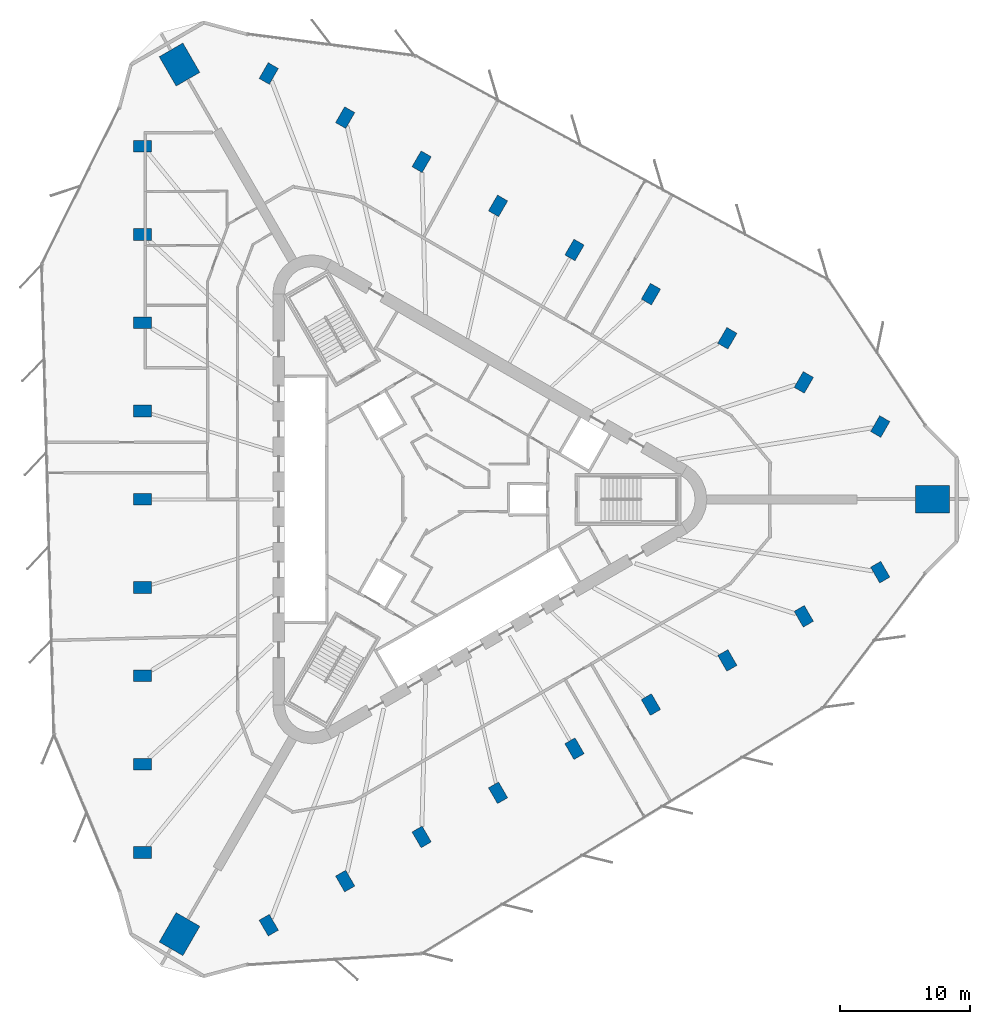
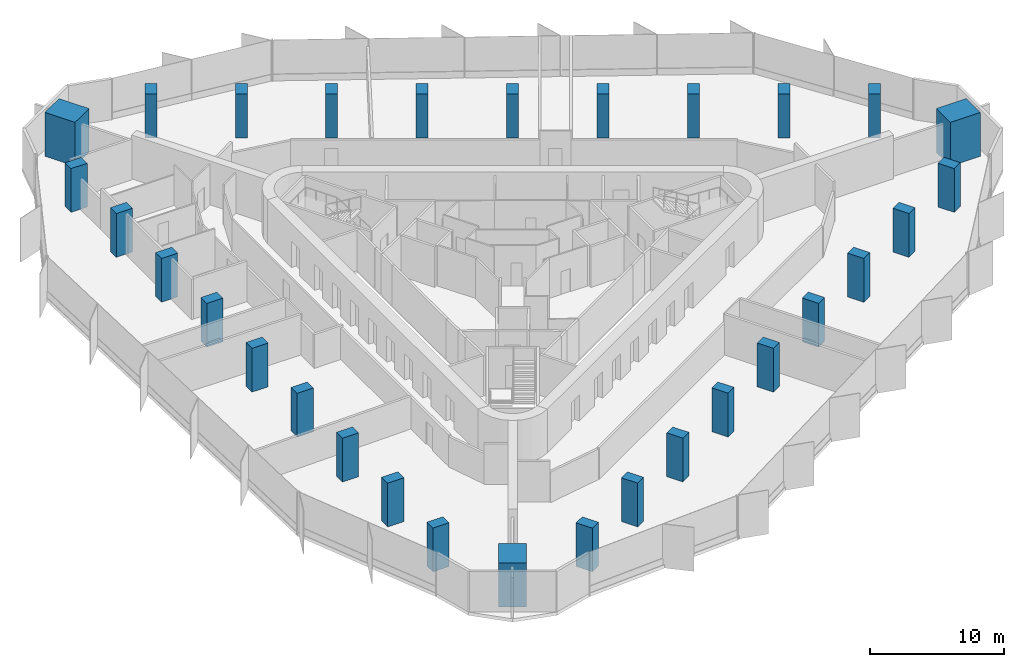
# One storey, part 1 of 14: 30 columns.
"""IFC4 building model written with IfcOpenShell, lengths in metres."""

from ifc_helpers import new_model, si_unit, direction, frame, origin, origin_2d, place, context, subcontext, project, spatial, rectangle, extrude, material, material_profile, profile_set, type_object, element, save


model = new_model("IFC4")

# Units and contexts
model_context = context("Model", 3, precision=1e-05, world=origin(), true_north=direction((0.0, 1.0)))
body_context = subcontext(model_context, "Body", "Model", "MODEL_VIEW")
ifc_project = project(units=[si_unit("LENGTHUNIT", "METRE"), si_unit("AREAUNIT", "SQUARE_METRE"), si_unit("VOLUMEUNIT", "CUBIC_METRE"), si_unit("PLANEANGLEUNIT", "RADIAN"), si_unit("MASSUNIT", "GRAM", prefix="KILO")], contexts=[model_context])

# Site, building, storey
site_placement = place(None, origin())
site = spatial("IfcSite", under=ifc_project, at=site_placement, CompositionType="ELEMENT")
building_placement = place(site_placement, origin())
building = spatial("IfcBuilding", under=site, at=building_placement, Name="Tanit Gate Tower", CompositionType="ELEMENT")
storey_placement = place(building_placement, frame((0.0, 0.0, 225.199951171875)))
storey = spatial("IfcBuildingStorey", under=building, at=storey_placement, Name="L50", CompositionType="ELEMENT", Elevation=225.199951171875)

# Columns
ifc_material_1 = material(Name="Concrete C60/75", Category="concrete")
ifc_material_profile_1 = material_profile(ifc_material_1, rectangle(XDim=2.60009765625, YDim=2.10009765625, at=origin_2d()), Name="RC 2600x2100")
ifc_profile_set_1 = profile_set([ifc_material_profile_1], Name="Concrete C60/75")
column_type_1 = type_object("IfcColumnType", Name="MEGA COLUMN 2600x2100 C60/75", PredefinedType="COLUMN", material=ifc_profile_set_1)
for number, where, z_axis, x_axis, name in (
    (1, (38.515380859375, 0.0, 0.0), (0.0, 0.0, 1.0), (1.0, 0.0, 0.0), "MEGA COLUMN"),
    (2, (-19.2578125, 33.355224609375, 0.0), (0.0, 0.0, 1.0), (-0.5, 0.866025403784, 0.0), "MEGA COLUMN"),
    (3, (-19.2578125, -33.355224609375, 0.0), (0.0, 0.0, 1.0), (-0.5, -0.866025403784, 0.0), "MEGA COLUMN"),
):
    element("IfcColumn", number, at=place(storey_placement, frame(where, z_axis=z_axis, x_axis=x_axis)), inside=storey, type_object=column_type_1, Name=name, PredefinedType="COLUMN", context=body_context, shape_type="SweptSolid", body=[
        extrude(rectangle(XDim=2.60009765625, YDim=2.10009765625, at=origin_2d()), origin(), (0.0, 0.0, 1.0), 4.0),
    ])
ifc_material_2 = material(Name="Concrete C50/60", Category="concrete")
ifc_material_profile_2 = material_profile(ifc_material_2, rectangle(XDim=1.39990234375, YDim=0.89990234375, at=origin_2d()), Name="RC 1400x900")
ifc_profile_set_2 = profile_set([ifc_material_profile_2], Name="Concrete C50/60")
column_type_2 = type_object("IfcColumnType", Name="PERIMETER COLUMN 1400x900 C50/60", PredefinedType="COLUMN", material=ifc_profile_set_2)
for number, where, z_axis, x_axis, name in (
    (4, (-22.088134765625, 27.083984375, 0.0), (0.0, 0.0, 1.0), (-1.0, 0.0, 0.0), "PERIMETER COLUMN"),
    (5, (-22.088134765625, 20.31298828125, 0.0), (0.0, 0.0, 1.0), (-1.0, 0.0, 0.0), "PERIMETER COLUMN"),
    (6, (-22.088134765625, 13.5419921875, 0.0), (0.0, 0.0, 1.0), (-1.0, 0.0, 0.0), "PERIMETER COLUMN"),
    (7, (-22.088134765625, 6.77099609375, 0.0), (0.0, 0.0, 1.0), (-1.0, 0.0, 0.0), "PERIMETER COLUMN"),
    (8, (-22.088134765625, 0.0, 0.0), (0.0, 0.0, 1.0), (-1.0, 0.0, 0.0), "PERIMETER COLUMN"),
    (9, (-22.088134765625, -6.77099609375, 0.0), (0.0, 0.0, 1.0), (-1.0, 0.0, 0.0), "PERIMETER COLUMN"),
    (10, (-22.088134765625, -13.5419921875, 0.0), (0.0, 0.0, 1.0), (-1.0, 0.0, 0.0), "PERIMETER COLUMN"),
    (11, (-22.088134765625, -20.31298828125, 0.0), (0.0, 0.0, 1.0), (-1.0, 0.0, 0.0), "PERIMETER COLUMN"),
    (12, (-22.088134765625, -27.083984375, 0.0), (0.0, 0.0, 1.0), (-1.0, 0.0, 0.0), "PERIMETER COLUMN"),
    (13, (34.49951171875, 5.5869140625, 0.0), (0.0, 0.0, 1.0), (0.5, 0.866025403784, 0.0), "PERIMETER COLUMN"),
    (14, (28.635498046875, 8.972412109375, 0.0), (0.0, 0.0, 1.0), (0.5, 0.866025403784, 0.0), "PERIMETER COLUMN"),
    (15, (22.771728515625, 12.35791015625, 0.0), (0.0, 0.0, 1.0), (0.5, 0.866025403784, 0.0), "PERIMETER COLUMN"),
    (16, (16.907958984375, 15.743408203125, 0.0), (0.0, 0.0, 1.0), (0.5, 0.866025403784, 0.0), "PERIMETER COLUMN"),
    (17, (11.0439453125, 19.12890625, 0.0), (0.0, 0.0, 1.0), (0.5, 0.866025403784, 0.0), "PERIMETER COLUMN"),
    (18, (5.18017578125, 22.514404296875, 0.0), (0.0, 0.0, 1.0), (0.5, 0.866025403784, 0.0), "PERIMETER COLUMN"),
    (19, (-0.68359375, 25.89990234375, 0.0), (0.0, 0.0, 1.0), (0.5, 0.866025403784, 0.0), "PERIMETER COLUMN"),
    (20, (-6.547607421875, 29.285400390625, 0.0), (0.0, 0.0, 1.0), (0.5, 0.866025403784, 0.0), "PERIMETER COLUMN"),
    (21, (-12.411376953125, 32.6708984375, 0.0), (0.0, 0.0, 1.0), (0.5, 0.866025403784, 0.0), "PERIMETER COLUMN"),
    (22, (-12.411376953125, -32.6708984375, 0.0), (0.0, 0.0, 1.0), (0.5, -0.866025403784, 0.0), "PERIMETER COLUMN"),
    (23, (-6.547607421875, -29.285400390625, 0.0), (0.0, 0.0, 1.0), (0.5, -0.866025403784, 0.0), "PERIMETER COLUMN"),
    (24, (-0.68359375, -25.89990234375, 0.0), (0.0, 0.0, 1.0), (0.5, -0.866025403784, 0.0), "PERIMETER COLUMN"),
    (25, (5.18017578125, -22.514404296875, 0.0), (0.0, 0.0, 1.0), (0.5, -0.866025403784, 0.0), "PERIMETER COLUMN"),
    (26, (11.0439453125, -19.12890625, 0.0), (0.0, 0.0, 1.0), (0.5, -0.866025403784, 0.0), "PERIMETER COLUMN"),
    (27, (16.907958984375, -15.743408203125, 0.0), (0.0, 0.0, 1.0), (0.5, -0.866025403784, 0.0), "PERIMETER COLUMN"),
    (28, (22.771728515625, -12.35791015625, 0.0), (0.0, 0.0, 1.0), (0.5, -0.866025403784, 0.0), "PERIMETER COLUMN"),
    (29, (28.635498046875, -8.972412109375, 0.0), (0.0, 0.0, 1.0), (0.5, -0.866025403784, 0.0), "PERIMETER COLUMN"),
    (30, (34.49951171875, -5.5869140625, 0.0), (0.0, 0.0, 1.0), (0.5, -0.866025403784, 0.0), "PERIMETER COLUMN"),
):
    element("IfcColumn", number, at=place(storey_placement, frame(where, z_axis=z_axis, x_axis=x_axis)), inside=storey, type_object=column_type_2, Name=name, PredefinedType="COLUMN", context=body_context, shape_type="SweptSolid", body=[
        extrude(rectangle(XDim=1.39990234375, YDim=0.89990234375, at=origin_2d()), origin(), (0.0, 0.0, 1.0), 4.0),
    ])

save(model, "model.ifc")
